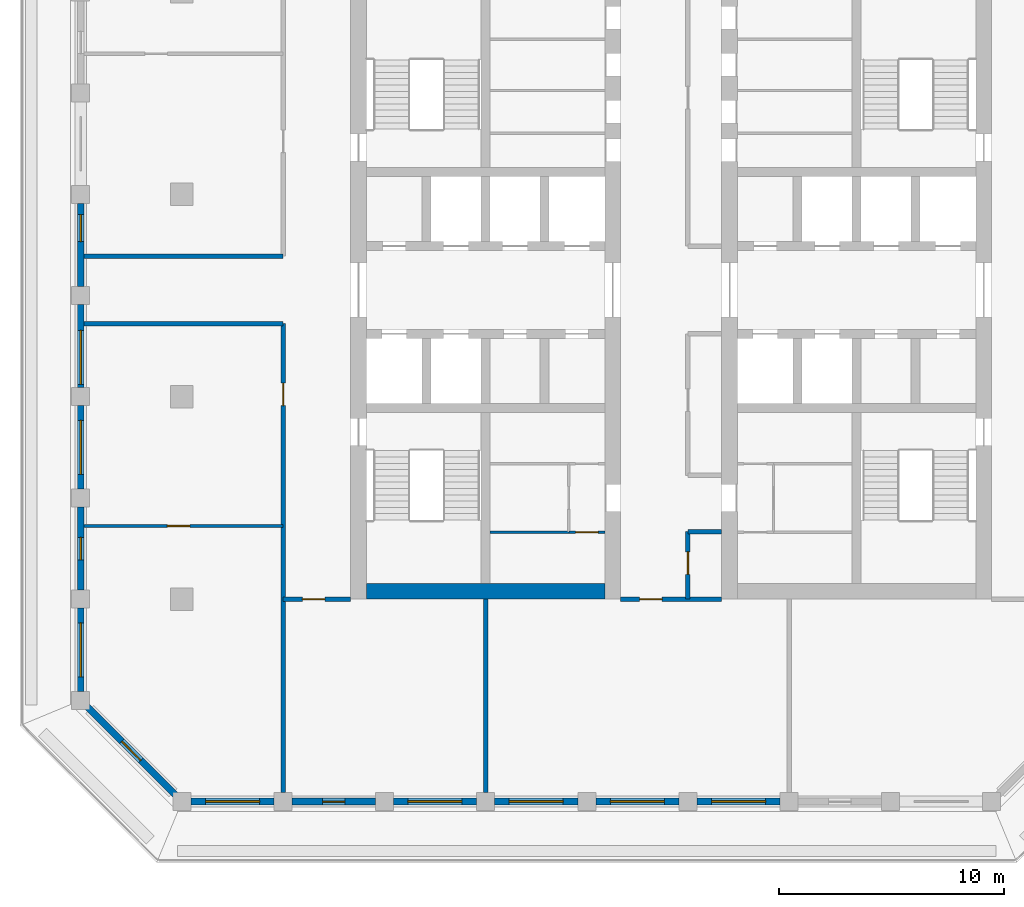
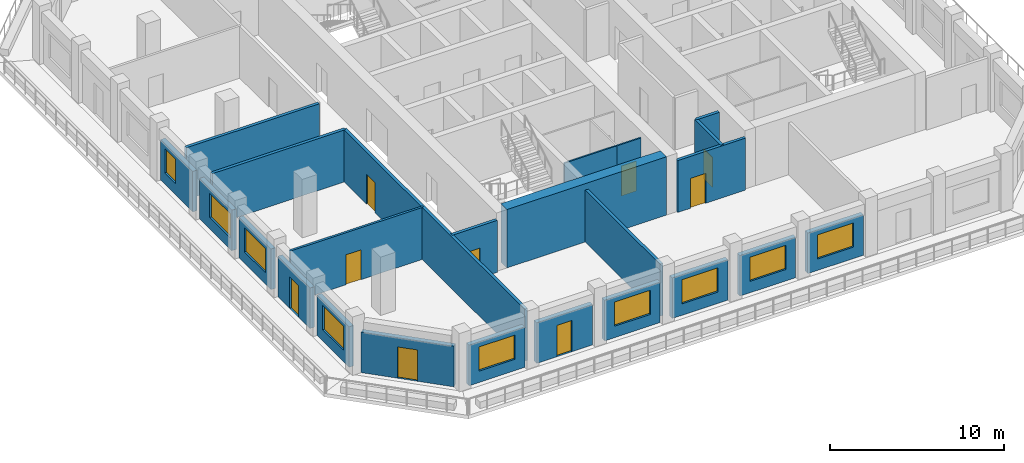
# One storey, part 2 of 14: 24 walls, 9 doors, 9 windows, 18 openings.
"""IFC4 building model written with IfcOpenShell, lengths in metres."""

from ifc_helpers import new_model, si_unit, direction, frame, frame_2d, origin, place, context, subcontext, project, spatial, rectangle, extrude, material, layer, layer_set, type_object, element, fill, save


model = new_model("IFC4")

# Units and contexts
model_context = context("Model", 3, precision=1e-05, world=origin(), true_north=direction((0.0, 1.0)))
body_context = subcontext(model_context, "Body", "Model", "MODEL_VIEW")
ifc_project = project(units=[si_unit("LENGTHUNIT", "METRE"), si_unit("AREAUNIT", "SQUARE_METRE"), si_unit("VOLUMEUNIT", "CUBIC_METRE"), si_unit("PLANEANGLEUNIT", "RADIAN"), si_unit("MASSUNIT", "GRAM", prefix="KILO")], contexts=[model_context])

# Site, building, storey
site_placement = place(None, origin())
site = spatial("IfcSite", under=ifc_project, at=site_placement, CompositionType="ELEMENT")
building_placement = place(site_placement, origin())
building = spatial("IfcBuilding", under=site, at=building_placement, Name="Corbel Stack Research Tower", CompositionType="ELEMENT")
storey_placement = place(building_placement, frame((0.0, 0.0, 278.60009765625)))
storey = spatial("IfcBuildingStorey", under=building, at=storey_placement, Name="L63", CompositionType="ELEMENT", Elevation=278.60009765625)

# Wall
ifc_material_1 = material(Name="Concrete C60/75", Category="concrete")
ifc_layer_1 = layer(ifc_material_1, 0.699951171875)
ifc_layer_set_1 = layer_set([ifc_layer_1], Name="Concrete C60/75")
wall_type_1 = type_object("IfcWallType", Name="CW-700-60", PredefinedType="SHEAR", material=ifc_layer_set_1)
wall_1_placement = place(storey_placement, frame((-9.800048828125, -8.64990234375, 0.0), z_axis=(0.0, 0.0, 1.0), x_axis=(1.0, 0.0, 0.0)))
element("IfcWall", 1, at=wall_1_placement, inside=storey, type_object=wall_type_1, Name="West core wall, south end L63", PredefinedType="SHEAR", context=body_context, shape_type="SweptSolid", body=[
    extrude(rectangle(XDim=10.60009765625, YDim=0.699951171875, at=frame_2d((5.300048828125, 0.0))), origin(), (0.0, 0.0, 1.0), 4.099853515625),
])

# Wall, opening, door
ifc_material_2 = material(Name="Gypsum board")
ifc_layer_2 = layer(ifc_material_2, 0.10009765625)
ifc_layer_set_2 = layer_set([ifc_layer_2], Name="Gypsum board")
wall_type_2 = type_object("IfcWallType", Name="Core partition 100", PredefinedType="PARTITIONING", material=ifc_layer_set_2)
wall_2_placement = place(storey_placement, frame((-0.800048828125, -6.02001953125, 0.0), z_axis=(0.0, 0.0, 1.0), x_axis=(1.0, 0.0, 0.0)))
wall_2 = element("IfcWall", 2, at=wall_2_placement, inside=storey, type_object=wall_type_2, Name="Core partition W", PredefinedType="PARTITIONING", context=body_context, shape_type="SweptSolid", body=[
    extrude(rectangle(XDim=1.60009765625, YDim=0.10009765625, at=frame_2d((0.800048828125, 0.0))), origin(), (0.0, 0.0, 1.0), 3.64990234375),
])
opening_1_placement = place(wall_2_placement, frame((0.300048828125, 0.0, 0.0)))
opening_1 = element("IfcOpeningElement", 3, at=opening_1_placement, cuts=wall_2, Name="Opening CR-W36-W2-1000", PredefinedType="OPENING", context=body_context, shape_type="SweptSolid", body=[
    extrude(rectangle(XDim=1.0, YDim=2.10009765625, at=frame_2d((0.5, 1.050048828125))), frame((0.0, 0.06005859375, 0.0), z_axis=(0.0, -1.0, 0.0), x_axis=(1.0, 0.0, 0.0)), (0.0, 0.0, 1.0), 0.1201171875),
])
ifc_material_3 = material(Name="Painted timber door", Category="wood")
door_type_1 = type_object("IfcDoorType", Name="WC door 1000 x 2100 right hand", OperationType="SINGLE_SWING_RIGHT", PredefinedType="DOOR", material=ifc_material_3)
door_1_placement = place(opening_1_placement, origin())
door_1 = element("IfcDoor", 4, at=door_1_placement, inside=storey, type_object=door_type_1, Name="Men's WC door W core", OperationType="SINGLE_SWING_RIGHT", OverallHeight=2.10009765625, OverallWidth=1.0, PredefinedType="DOOR", context=body_context, shape_type="SweptSolid", body=[
    extrude(rectangle(XDim=1.0, YDim=2.10009765625, at=frame_2d((0.5, 1.050048828125))), frame((0.0, 0.02490234375, 0.0), z_axis=(0.0, -1.0, 0.0), x_axis=(1.0, 0.0, 0.0)), (0.0, 0.0, 1.0), 0.050048828125),
])
fill(opening_1, door_1)

# Wall
wall_3_placement = place(storey_placement, frame((-4.300048828125, -6.02001953125, 0.0), z_axis=(0.0, 0.0, 1.0), x_axis=(1.0, 0.0, 0.0)))
element("IfcWall", 5, at=wall_3_placement, inside=storey, type_object=wall_type_2, Name="Core partition W", PredefinedType="PARTITIONING", context=body_context, shape_type="SweptSolid", body=[
    extrude(rectangle(XDim=3.5, YDim=0.10009765625, at=frame_2d((1.75, 0.0))), origin(), (0.0, 0.0, 1.0), 3.64990234375),
])

# Wall, opening, door
ifc_material_4 = material(Name="Fire-rated gypsum board partition on steel studs", Category="steel")
ifc_layer_3 = layer(ifc_material_4, 0.199951171875)
ifc_layer_set_3 = layer_set([ifc_layer_3], Name="Fire-rated gypsum board partition on steel studs")
wall_type_3 = type_object("IfcWallType", Name="Fire-rated partition 200 EI 60", PredefinedType="PARTITIONING", material=ifc_layer_set_3)
wall_4_placement = place(storey_placement, frame((-13.5, -17.60009765625, 0.0), z_axis=(0.0, 0.0, 1.0), x_axis=(0.0, 1.0, 0.0)))
wall_4 = element("IfcWall", 6, at=wall_4_placement, inside=storey, type_object=wall_type_3, Name="Partition L63-001", PredefinedType="PARTITIONING", context=body_context, shape_type="SweptSolid", body=[
    extrude(rectangle(XDim=20.85009765625, YDim=0.199951171875, at=frame_2d((10.425048828125, 0.0))), origin(), (0.0, 0.0, 1.0), 3.64990234375),
])
opening_2_placement = place(wall_4_placement, frame((17.199951171875, 0.0, 0.0)))
opening_2 = element("IfcOpeningElement", 7, at=opening_2_placement, cuts=wall_4, Name="Opening B8V1-001", PredefinedType="OPENING", context=body_context, shape_type="SweptSolid", body=[
    extrude(rectangle(XDim=1.0, YDim=2.10009765625, at=frame_2d((0.5, 1.050048828125))), frame((0.0, 0.10986328125, 0.0), z_axis=(0.0, -1.0, 0.0), x_axis=(1.0, 0.0, 0.0)), (0.0, 0.0, 1.0), 0.219970703125),
])
ifc_material_5 = material(Name="Painted steel fire door", Category="steel")
door_type_2 = type_object("IfcDoorType", Name="Fire door FD30S 1000 x 2100", OperationType="NOTDEFINED", PredefinedType="DOOR", material=ifc_material_5)
door_2_placement = place(opening_2_placement, origin())
door_2 = element("IfcDoor", 8, at=door_2_placement, inside=storey, type_object=door_type_2, Name="Door B8V1-001", OperationType="SINGLE_SWING_RIGHT", OverallHeight=2.10009765625, OverallWidth=1.0, PredefinedType="DOOR", context=body_context, shape_type="SweptSolid", body=[
    extrude(rectangle(XDim=1.0, YDim=2.10009765625, at=frame_2d((0.5, 1.050048828125))), frame((0.0, 0.02490234375, 0.0), z_axis=(0.0, -1.0, 0.0), x_axis=(1.0, 0.0, 0.0)), (0.0, 0.0, 1.0), 0.050048828125),
])
fill(opening_2, door_2)

# Wall
wall_5_placement = place(storey_placement, frame((-4.5, -17.60009765625, 0.0), z_axis=(0.0, 0.0, 1.0), x_axis=(0.0, 1.0, 0.0)))
element("IfcWall", 9, at=wall_5_placement, inside=storey, type_object=wall_type_3, Name="Partition L63-003", PredefinedType="PARTITIONING", context=body_context, shape_type="SweptSolid", body=[
    extrude(rectangle(XDim=8.60009765625, YDim=0.199951171875, at=frame_2d((4.300048828125, 0.0))), origin(), (0.0, 0.0, 1.0), 3.64990234375),
])

# Wall, opening, door
wall_6_placement = place(storey_placement, frame((4.5, -6.0, 0.0), z_axis=(0.0, 0.0, 1.0), x_axis=(0.0, -1.0, 0.0)))
wall_6 = element("IfcWall", 10, at=wall_6_placement, inside=storey, type_object=wall_type_3, Name="Partition L63-005", PredefinedType="PARTITIONING", context=body_context, shape_type="SweptSolid", body=[
    extrude(rectangle(XDim=3.0, YDim=0.199951171875, at=frame_2d((1.5, 0.0))), origin(), (0.0, 0.0, 1.0), 3.64990234375),
])
opening_3_placement = place(wall_6_placement, frame((0.89990234375, 0.0, 0.0)))
opening_3 = element("IfcOpeningElement", 11, at=opening_3_placement, cuts=wall_6, Name="Opening B8V1-007", PredefinedType="OPENING", context=body_context, shape_type="SweptSolid", body=[
    extrude(rectangle(XDim=1.0, YDim=2.10009765625, at=frame_2d((0.5, 1.050048828125))), frame((0.0, 0.10986328125, 0.0), z_axis=(0.0, -1.0, 0.0), x_axis=(1.0, 0.0, 0.0)), (0.0, 0.0, 1.0), 0.219970703125),
])
door_3_placement = place(opening_3_placement, origin())
door_3 = element("IfcDoor", 12, at=door_3_placement, inside=storey, type_object=door_type_2, Name="Door B8V1-007", OperationType="SINGLE_SWING_LEFT", OverallHeight=2.10009765625, OverallWidth=1.0, PredefinedType="DOOR", context=body_context, shape_type="SweptSolid", body=[
    extrude(rectangle(XDim=1.0, YDim=2.10009765625, at=frame_2d((0.5, 1.050048828125))), frame((0.0, 0.02490234375, 0.0), z_axis=(0.0, -1.0, 0.0), x_axis=(1.0, 0.0, 0.0)), (0.0, 0.0, 1.0), 0.050048828125),
])
fill(opening_3, door_3)

wall_7_placement = place(storey_placement, frame((-10.5, -9.0, 0.0), z_axis=(0.0, 0.0, 1.0), x_axis=(-1.0, 0.0, 0.0)))
wall_7 = element("IfcWall", 13, at=wall_7_placement, inside=storey, type_object=wall_type_3, Name="Partition L63-011", PredefinedType="PARTITIONING", context=body_context, shape_type="SweptSolid", body=[
    extrude(rectangle(XDim=3.0, YDim=0.199951171875, at=frame_2d((1.5, 0.0))), origin(), (0.0, 0.0, 1.0), 3.64990234375),
])
opening_4_placement = place(wall_7_placement, frame((1.14990234375, 0.0, 0.0)))
opening_4 = element("IfcOpeningElement", 14, at=opening_4_placement, cuts=wall_7, Name="Opening B8V1-003", PredefinedType="OPENING", context=body_context, shape_type="SweptSolid", body=[
    extrude(rectangle(XDim=1.0, YDim=2.10009765625, at=frame_2d((0.5, 1.050048828125))), frame((0.0, 0.10986328125, 0.0), z_axis=(0.0, -1.0, 0.0), x_axis=(1.0, 0.0, 0.0)), (0.0, 0.0, 1.0), 0.219970703125),
])
door_4_placement = place(opening_4_placement, origin())
door_4 = element("IfcDoor", 15, at=door_4_placement, inside=storey, type_object=door_type_2, Name="Door B8V1-003", OperationType="SINGLE_SWING_RIGHT", OverallHeight=2.10009765625, OverallWidth=1.0, PredefinedType="DOOR", context=body_context, shape_type="SweptSolid", body=[
    extrude(rectangle(XDim=1.0, YDim=2.10009765625, at=frame_2d((0.5, 1.050048828125))), frame((0.0, 0.02490234375, 0.0), z_axis=(0.0, -1.0, 0.0), x_axis=(1.0, 0.0, 0.0)), (0.0, 0.0, 1.0), 0.050048828125),
])
fill(opening_4, door_4)

wall_8_placement = place(storey_placement, frame((6.0, -9.0, 0.0), z_axis=(0.0, 0.0, 1.0), x_axis=(-1.0, 0.0, 0.0)))
wall_8 = element("IfcWall", 16, at=wall_8_placement, inside=storey, type_object=wall_type_3, Name="Partition L63-012", PredefinedType="PARTITIONING", context=body_context, shape_type="SweptSolid", body=[
    extrude(rectangle(XDim=4.5, YDim=0.199951171875, at=frame_2d((2.25, 0.0))), origin(), (0.0, 0.0, 1.0), 3.64990234375),
])
opening_5_placement = place(wall_8_placement, frame((2.64990234375, 0.0, 0.0)))
opening_5 = element("IfcOpeningElement", 17, at=opening_5_placement, cuts=wall_8, Name="Opening B8V1-004", PredefinedType="OPENING", context=body_context, shape_type="SweptSolid", body=[
    extrude(rectangle(XDim=1.0, YDim=2.10009765625, at=frame_2d((0.5, 1.050048828125))), frame((0.0, 0.10986328125, 0.0), z_axis=(0.0, -1.0, 0.0), x_axis=(1.0, 0.0, 0.0)), (0.0, 0.0, 1.0), 0.219970703125),
])
door_5_placement = place(opening_5_placement, origin())
door_5 = element("IfcDoor", 18, at=door_5_placement, inside=storey, type_object=door_type_2, Name="Door B8V1-004", OperationType="SINGLE_SWING_RIGHT", OverallHeight=2.10009765625, OverallWidth=1.0, PredefinedType="DOOR", context=body_context, shape_type="SweptSolid", body=[
    extrude(rectangle(XDim=1.0, YDim=2.10009765625, at=frame_2d((0.5, 1.050048828125))), frame((0.0, 0.02490234375, 0.0), z_axis=(0.0, -1.0, 0.0), x_axis=(1.0, 0.0, 0.0)), (0.0, 0.0, 1.0), 0.050048828125),
])
fill(opening_5, door_5)

# Walls
wall_9_placement = place(storey_placement, frame((4.5, -6.0, 0.0), z_axis=(0.0, 0.0, 1.0), x_axis=(1.0, 0.0, 0.0)))
element("IfcWall", 19, at=wall_9_placement, inside=storey, type_object=wall_type_3, Name="Partition L63-014", PredefinedType="PARTITIONING", context=body_context, shape_type="SweptSolid", body=[
    extrude(rectangle(XDim=1.5, YDim=0.199951171875, at=frame_2d((0.75, 0.0))), origin(), (0.0, 0.0, 1.0), 3.64990234375),
])
for number, where, z_axis, x_axis, name in (
    (20, (-22.35009765625, 3.25, 0.0), (0.0, 0.0, 1.0), (1.0, 0.0, 0.0), "Partition L63-018"),
    (21, (-22.35009765625, 6.25, 0.0), (0.0, 0.0, 1.0), (1.0, 0.0, 0.0), "Partition L63-019"),
):
    element("IfcWall", number, at=place(storey_placement, frame(where, z_axis=z_axis, x_axis=x_axis)), inside=storey, type_object=wall_type_3, Name=name, PredefinedType="PARTITIONING", context=body_context, shape_type="SweptSolid", body=[
        extrude(rectangle(XDim=8.85009765625, YDim=0.199951171875, at=frame_2d((4.425048828125, 0.0))), origin(), (0.0, 0.0, 1.0), 3.64990234375),
    ])

# Wall, opening, door
ifc_material_6 = material(Name="Gypsum board partition on steel studs", Category="steel")
ifc_layer_4 = layer(ifc_material_6, 0.14990234375)
ifc_layer_set_4 = layer_set([ifc_layer_4], Name="Gypsum board partition on steel studs")
wall_type_4 = type_object("IfcWallType", Name="Partition 150", PredefinedType="PARTITIONING", material=ifc_layer_set_4)
wall_10_placement = place(storey_placement, frame((-13.5, -5.75, 0.0), z_axis=(0.0, 0.0, 1.0), x_axis=(-1.0, 0.0, 0.0)))
wall_10 = element("IfcWall", 22, at=wall_10_placement, inside=storey, type_object=wall_type_4, Name="Partition L63-015", PredefinedType="PARTITIONING", context=body_context, shape_type="SweptSolid", body=[
    extrude(rectangle(XDim=8.85009765625, YDim=0.14990234375, at=frame_2d((4.425048828125, 0.0))), origin(), (0.0, 0.0, 1.0), 3.64990234375),
])
opening_6_placement = place(wall_10_placement, frame((4.14990234375, 0.0, 0.0)))
opening_6 = element("IfcOpeningElement", 23, at=opening_6_placement, cuts=wall_10, Name="Opening B8V1-006", PredefinedType="OPENING", context=body_context, shape_type="SweptSolid", body=[
    extrude(rectangle(XDim=1.0, YDim=2.10009765625, at=frame_2d((0.5, 1.050048828125))), frame((0.0, 0.0849609375, 0.0), z_axis=(0.0, -1.0, 0.0), x_axis=(1.0, 0.0, 0.0)), (0.0, 0.0, 1.0), 0.169921875),
])
ifc_material_7 = material(Name="Painted timber door", Category="wood")
door_type_3 = type_object("IfcDoorType", Name="Single door 1000 x 2100", OperationType="NOTDEFINED", PredefinedType="DOOR", material=ifc_material_7)
door_6_placement = place(opening_6_placement, origin())
door_6 = element("IfcDoor", 24, at=door_6_placement, inside=storey, type_object=door_type_3, Name="Door B8V1-006", OperationType="SINGLE_SWING_RIGHT", OverallHeight=2.10009765625, OverallWidth=1.0, PredefinedType="DOOR", context=body_context, shape_type="SweptSolid", body=[
    extrude(rectangle(XDim=1.0, YDim=2.10009765625, at=frame_2d((0.5, 1.050048828125))), frame((0.0, 0.02490234375, 0.0), z_axis=(0.0, -1.0, 0.0), x_axis=(1.0, 0.0, 0.0)), (0.0, 0.0, 1.0), 0.050048828125),
])
fill(opening_6, door_6)

# Wall, opening, window
ifc_material_8 = material(Name="Concrete C45/55", Category="concrete")
ifc_layer_5 = layer(ifc_material_8, 0.300048828125)
ifc_layer_set_5 = layer_set([ifc_layer_5], Name="Concrete C45/55")
wall_type_5 = type_object("IfcWallType", Name="Terracotta-faced concrete wall 300", PredefinedType="SOLIDWALL", material=ifc_layer_set_5)
wall_11_placement = place(storey_placement, frame((-13.89990234375, -18.0, 0.0), z_axis=(0.0, 0.0, 1.0), x_axis=(-1.0, 0.0, 0.0)))
wall_11 = element("IfcWall", 25, at=wall_11_placement, inside=storey, type_object=wall_type_5, Name="Facade wall L63 S01", PredefinedType="SOLIDWALL", context=body_context, shape_type="SweptSolid", body=[
    extrude(rectangle(XDim=3.7001953125, YDim=0.300048828125, at=frame_2d((1.85009765625, 0.0))), origin(), (0.0, 0.0, 1.0), 2.849853515625),
])
opening_7_placement = place(wall_11_placement, frame((0.64990234375, 0.0, 0.800048828125)))
opening_7 = element("IfcOpeningElement", 26, at=opening_7_placement, cuts=wall_11, Name="Opening W1", PredefinedType="OPENING", context=body_context, shape_type="SweptSolid", body=[
    extrude(rectangle(XDim=2.39990234375, YDim=1.699951171875, at=frame_2d((1.199951171875, 0.85009765625))), frame((0.0, 0.159912109375, 0.0), z_axis=(0.0, -1.0, 0.0), x_axis=(1.0, 0.0, 0.0)), (0.0, 0.0, 1.0), 0.320068359375),
])
ifc_material_9 = material(Name="Aluminium frame, clear double glazing", Category="aluminium")
window_type_1 = type_object("IfcWindowType", Name="Window W1 2400 x 1700", PartitioningType="SINGLE_PANEL", PredefinedType="WINDOW", material=ifc_material_9)
window_1_placement = place(opening_7_placement, origin())
window_1 = element("IfcWindow", 27, at=window_1_placement, inside=storey, type_object=window_type_1, Name="Window W1 L63 S01", OverallHeight=1.699951171875, OverallWidth=2.39990234375, PartitioningType="SINGLE_PANEL", PredefinedType="WINDOW", context=body_context, shape_type="SweptSolid", body=[
    extrude(rectangle(XDim=2.39990234375, YDim=1.699951171875, at=frame_2d((1.199951171875, 0.85009765625))), frame((0.0, 0.030029296875, 0.0), z_axis=(0.0, -1.0, 0.0), x_axis=(1.0, 0.0, 0.0)), (0.0, 0.0, 1.0), 0.06005859375),
])
fill(opening_7, window_1)

# Wall, opening, door
wall_12_placement = place(storey_placement, frame((-9.39990234375, -18.0, 0.0), z_axis=(0.0, 0.0, 1.0), x_axis=(-1.0, 0.0, 0.0)))
wall_12 = element("IfcWall", 28, at=wall_12_placement, inside=storey, type_object=wall_type_5, Name="Facade wall L63 S02", PredefinedType="SOLIDWALL", context=body_context, shape_type="SweptSolid", body=[
    extrude(rectangle(XDim=3.7001953125, YDim=0.300048828125, at=frame_2d((1.85009765625, 0.0))), origin(), (0.0, 0.0, 1.0), 2.849853515625),
])
opening_8_placement = place(wall_12_placement, frame((1.35009765625, 0.0, 0.0)))
opening_8 = element("IfcOpeningElement", 29, at=opening_8_placement, cuts=wall_12, Name="Opening L63-B01", PredefinedType="OPENING", context=body_context, shape_type="SweptSolid", body=[
    extrude(rectangle(XDim=1.0, YDim=2.199951171875, at=frame_2d((0.5, 1.10009765625))), frame((0.0, 0.159912109375, 0.0), z_axis=(0.0, -1.0, 0.0), x_axis=(1.0, 0.0, 0.0)), (0.0, 0.0, 1.0), 0.320068359375),
])
ifc_material_10 = material(Name="Aluminium frame, clear double glazing", Category="aluminium")
door_type_4 = type_object("IfcDoorType", Name="Balcony door BD1 1000 x 2200", OperationType="NOTDEFINED", PredefinedType="DOOR", material=ifc_material_10)
door_7_placement = place(opening_8_placement, origin())
door_7 = element("IfcDoor", 30, at=door_7_placement, inside=storey, type_object=door_type_4, Name="Balcony door L63-B01", OperationType="SINGLE_SWING_LEFT", OverallHeight=2.199951171875, OverallWidth=1.0, PredefinedType="DOOR", context=body_context, shape_type="SweptSolid", body=[
    extrude(rectangle(XDim=1.0, YDim=2.199951171875, at=frame_2d((0.5, 1.10009765625))), frame((0.0, 0.02490234375, 0.0), z_axis=(0.0, -1.0, 0.0), x_axis=(1.0, 0.0, 0.0)), (0.0, 0.0, 1.0), 0.050048828125),
])
fill(opening_8, door_7)

# Wall, opening, window
wall_13_placement = place(storey_placement, frame((-4.89990234375, -18.0, 0.0), z_axis=(0.0, 0.0, 1.0), x_axis=(-1.0, 0.0, 0.0)))
wall_13 = element("IfcWall", 31, at=wall_13_placement, inside=storey, type_object=wall_type_5, Name="Facade wall L63 S03", PredefinedType="SOLIDWALL", context=body_context, shape_type="SweptSolid", body=[
    extrude(rectangle(XDim=3.7001953125, YDim=0.300048828125, at=frame_2d((1.85009765625, 0.0))), origin(), (0.0, 0.0, 1.0), 2.849853515625),
])
opening_9_placement = place(wall_13_placement, frame((0.64990234375, 0.0, 0.800048828125)))
opening_9 = element("IfcOpeningElement", 32, at=opening_9_placement, cuts=wall_13, Name="Opening W1", PredefinedType="OPENING", context=body_context, shape_type="SweptSolid", body=[
    extrude(rectangle(XDim=2.39990234375, YDim=1.699951171875, at=frame_2d((1.199951171875, 0.85009765625))), frame((0.0, 0.159912109375, 0.0), z_axis=(0.0, -1.0, 0.0), x_axis=(1.0, 0.0, 0.0)), (0.0, 0.0, 1.0), 0.320068359375),
])
window_2_placement = place(opening_9_placement, origin())
window_2 = element("IfcWindow", 33, at=window_2_placement, inside=storey, type_object=window_type_1, Name="Window W1 L63 S03", OverallHeight=1.699951171875, OverallWidth=2.39990234375, PartitioningType="SINGLE_PANEL", PredefinedType="WINDOW", context=body_context, shape_type="SweptSolid", body=[
    extrude(rectangle(XDim=2.39990234375, YDim=1.699951171875, at=frame_2d((1.199951171875, 0.85009765625))), frame((0.0, 0.030029296875, 0.0), z_axis=(0.0, -1.0, 0.0), x_axis=(1.0, 0.0, 0.0)), (0.0, 0.0, 1.0), 0.06005859375),
])
fill(opening_9, window_2)

wall_14_placement = place(storey_placement, frame((-0.39990234375, -18.0, 0.0), z_axis=(0.0, 0.0, 1.0), x_axis=(-1.0, 0.0, 0.0)))
wall_14 = element("IfcWall", 34, at=wall_14_placement, inside=storey, type_object=wall_type_5, Name="Facade wall L63 S04", PredefinedType="SOLIDWALL", context=body_context, shape_type="SweptSolid", body=[
    extrude(rectangle(XDim=3.7001953125, YDim=0.300048828125, at=frame_2d((1.85009765625, 0.0))), origin(), (0.0, 0.0, 1.0), 2.849853515625),
])
opening_10_placement = place(wall_14_placement, frame((0.64990234375, 0.0, 0.800048828125)))
opening_10 = element("IfcOpeningElement", 35, at=opening_10_placement, cuts=wall_14, Name="Opening W1", PredefinedType="OPENING", context=body_context, shape_type="SweptSolid", body=[
    extrude(rectangle(XDim=2.39990234375, YDim=1.699951171875, at=frame_2d((1.199951171875, 0.85009765625))), frame((0.0, 0.159912109375, 0.0), z_axis=(0.0, -1.0, 0.0), x_axis=(1.0, 0.0, 0.0)), (0.0, 0.0, 1.0), 0.320068359375),
])
window_3_placement = place(opening_10_placement, origin())
window_3 = element("IfcWindow", 36, at=window_3_placement, inside=storey, type_object=window_type_1, Name="Window W1 L63 S04", OverallHeight=1.699951171875, OverallWidth=2.39990234375, PartitioningType="SINGLE_PANEL", PredefinedType="WINDOW", context=body_context, shape_type="SweptSolid", body=[
    extrude(rectangle(XDim=2.39990234375, YDim=1.699951171875, at=frame_2d((1.199951171875, 0.85009765625))), frame((0.0, 0.030029296875, 0.0), z_axis=(0.0, -1.0, 0.0), x_axis=(1.0, 0.0, 0.0)), (0.0, 0.0, 1.0), 0.06005859375),
])
fill(opening_10, window_3)

wall_15_placement = place(storey_placement, frame((4.10009765625, -18.0, 0.0), z_axis=(0.0, 0.0, 1.0), x_axis=(-1.0, 0.0, 0.0)))
wall_15 = element("IfcWall", 37, at=wall_15_placement, inside=storey, type_object=wall_type_5, Name="Facade wall L63 S05", PredefinedType="SOLIDWALL", context=body_context, shape_type="SweptSolid", body=[
    extrude(rectangle(XDim=3.7001953125, YDim=0.300048828125, at=frame_2d((1.85009765625, 0.0))), origin(), (0.0, 0.0, 1.0), 2.849853515625),
])
opening_11_placement = place(wall_15_placement, frame((0.64990234375, 0.0, 0.800048828125)))
opening_11 = element("IfcOpeningElement", 38, at=opening_11_placement, cuts=wall_15, Name="Opening W1", PredefinedType="OPENING", context=body_context, shape_type="SweptSolid", body=[
    extrude(rectangle(XDim=2.39990234375, YDim=1.699951171875, at=frame_2d((1.199951171875, 0.85009765625))), frame((0.0, 0.159912109375, 0.0), z_axis=(0.0, -1.0, 0.0), x_axis=(1.0, 0.0, 0.0)), (0.0, 0.0, 1.0), 0.320068359375),
])
window_4_placement = place(opening_11_placement, origin())
window_4 = element("IfcWindow", 39, at=window_4_placement, inside=storey, type_object=window_type_1, Name="Window W1 L63 S05", OverallHeight=1.699951171875, OverallWidth=2.39990234375, PartitioningType="SINGLE_PANEL", PredefinedType="WINDOW", context=body_context, shape_type="SweptSolid", body=[
    extrude(rectangle(XDim=2.39990234375, YDim=1.699951171875, at=frame_2d((1.199951171875, 0.85009765625))), frame((0.0, 0.030029296875, 0.0), z_axis=(0.0, -1.0, 0.0), x_axis=(1.0, 0.0, 0.0)), (0.0, 0.0, 1.0), 0.06005859375),
])
fill(opening_11, window_4)

wall_16_placement = place(storey_placement, frame((8.60009765625, -18.0, 0.0), z_axis=(0.0, 0.0, 1.0), x_axis=(-1.0, 0.0, 0.0)))
wall_16 = element("IfcWall", 40, at=wall_16_placement, inside=storey, type_object=wall_type_5, Name="Facade wall L63 S06", PredefinedType="SOLIDWALL", context=body_context, shape_type="SweptSolid", body=[
    extrude(rectangle(XDim=3.7001953125, YDim=0.300048828125, at=frame_2d((1.85009765625, 0.0))), origin(), (0.0, 0.0, 1.0), 2.849853515625),
])
opening_12_placement = place(wall_16_placement, frame((0.64990234375, 0.0, 0.800048828125)))
opening_12 = element("IfcOpeningElement", 41, at=opening_12_placement, cuts=wall_16, Name="Opening W1", PredefinedType="OPENING", context=body_context, shape_type="SweptSolid", body=[
    extrude(rectangle(XDim=2.39990234375, YDim=1.699951171875, at=frame_2d((1.199951171875, 0.85009765625))), frame((0.0, 0.159912109375, 0.0), z_axis=(0.0, -1.0, 0.0), x_axis=(1.0, 0.0, 0.0)), (0.0, 0.0, 1.0), 0.320068359375),
])
window_5_placement = place(opening_12_placement, origin())
window_5 = element("IfcWindow", 42, at=window_5_placement, inside=storey, type_object=window_type_1, Name="Window W1 L63 S06", OverallHeight=1.699951171875, OverallWidth=2.39990234375, PartitioningType="SINGLE_PANEL", PredefinedType="WINDOW", context=body_context, shape_type="SweptSolid", body=[
    extrude(rectangle(XDim=2.39990234375, YDim=1.699951171875, at=frame_2d((1.199951171875, 0.85009765625))), frame((0.0, 0.030029296875, 0.0), z_axis=(0.0, -1.0, 0.0), x_axis=(1.0, 0.0, 0.0)), (0.0, 0.0, 1.0), 0.06005859375),
])
fill(opening_12, window_5)

wall_17_placement = place(storey_placement, frame((-22.5, 4.89990234375, 0.0), z_axis=(0.0, 0.0, 1.0), x_axis=(0.0, 1.0, 0.0)))
wall_17 = element("IfcWall", 43, at=wall_17_placement, inside=storey, type_object=wall_type_5, Name="Facade wall L63 W04", PredefinedType="SOLIDWALL", context=body_context, shape_type="SweptSolid", body=[
    extrude(rectangle(XDim=3.7001953125, YDim=0.300048828125, at=frame_2d((1.85009765625, 0.0))), origin(), (0.0, 0.0, 1.0), 2.849853515625),
])
opening_13_placement = place(wall_17_placement, frame((2.0, 0.0, 0.800048828125)))
opening_13 = element("IfcOpeningElement", 44, at=opening_13_placement, cuts=wall_17, Name="Opening W2", PredefinedType="OPENING", context=body_context, shape_type="SweptSolid", body=[
    extrude(rectangle(XDim=1.199951171875, YDim=1.699951171875, at=frame_2d((0.60009765625, 0.85009765625))), frame((0.0, 0.159912109375, 0.0), z_axis=(0.0, -1.0, 0.0), x_axis=(1.0, 0.0, 0.0)), (0.0, 0.0, 1.0), 0.320068359375),
])
ifc_material_11 = material(Name="Aluminium frame, clear double glazing", Category="aluminium")
window_type_2 = type_object("IfcWindowType", Name="Window W2 1200 x 1700", PartitioningType="SINGLE_PANEL", PredefinedType="WINDOW", material=ifc_material_11)
window_6_placement = place(opening_13_placement, origin())
window_6 = element("IfcWindow", 45, at=window_6_placement, inside=storey, type_object=window_type_2, Name="Window W2 L63 W04", OverallHeight=1.699951171875, OverallWidth=1.199951171875, PartitioningType="SINGLE_PANEL", PredefinedType="WINDOW", context=body_context, shape_type="SweptSolid", body=[
    extrude(rectangle(XDim=1.199951171875, YDim=1.699951171875, at=frame_2d((0.60009765625, 0.85009765625))), frame((0.0, 0.030029296875, 0.0), z_axis=(0.0, -1.0, 0.0), x_axis=(1.0, 0.0, 0.0)), (0.0, 0.0, 1.0), 0.06005859375),
])
fill(opening_13, window_6)

wall_18_placement = place(storey_placement, frame((-22.5, 0.39990234375, 0.0), z_axis=(0.0, 0.0, 1.0), x_axis=(0.0, 1.0, 0.0)))
wall_18 = element("IfcWall", 46, at=wall_18_placement, inside=storey, type_object=wall_type_5, Name="Facade wall L63 W05", PredefinedType="SOLIDWALL", context=body_context, shape_type="SweptSolid", body=[
    extrude(rectangle(XDim=3.7001953125, YDim=0.300048828125, at=frame_2d((1.85009765625, 0.0))), origin(), (0.0, 0.0, 1.0), 2.849853515625),
])
opening_14_placement = place(wall_18_placement, frame((0.14990234375, 0.0, 0.800048828125)))
opening_14 = element("IfcOpeningElement", 47, at=opening_14_placement, cuts=wall_18, Name="Opening W1", PredefinedType="OPENING", context=body_context, shape_type="SweptSolid", body=[
    extrude(rectangle(XDim=2.39990234375, YDim=1.699951171875, at=frame_2d((1.199951171875, 0.85009765625))), frame((0.0, 0.159912109375, 0.0), z_axis=(0.0, -1.0, 0.0), x_axis=(1.0, 0.0, 0.0)), (0.0, 0.0, 1.0), 0.320068359375),
])
window_7_placement = place(opening_14_placement, origin())
window_7 = element("IfcWindow", 48, at=window_7_placement, inside=storey, type_object=window_type_1, Name="Window W1 L63 W05", OverallHeight=1.699951171875, OverallWidth=2.39990234375, PartitioningType="SINGLE_PANEL", PredefinedType="WINDOW", context=body_context, shape_type="SweptSolid", body=[
    extrude(rectangle(XDim=2.39990234375, YDim=1.699951171875, at=frame_2d((1.199951171875, 0.85009765625))), frame((0.0, 0.030029296875, 0.0), z_axis=(0.0, -1.0, 0.0), x_axis=(1.0, 0.0, 0.0)), (0.0, 0.0, 1.0), 0.06005859375),
])
fill(opening_14, window_7)

wall_19_placement = place(storey_placement, frame((-22.5, -4.10009765625, 0.0), z_axis=(0.0, 0.0, 1.0), x_axis=(0.0, 1.0, 0.0)))
wall_19 = element("IfcWall", 49, at=wall_19_placement, inside=storey, type_object=wall_type_5, Name="Facade wall L63 W06", PredefinedType="SOLIDWALL", context=body_context, shape_type="SweptSolid", body=[
    extrude(rectangle(XDim=3.7001953125, YDim=0.300048828125, at=frame_2d((1.85009765625, 0.0))), origin(), (0.0, 0.0, 1.0), 2.849853515625),
])
opening_15_placement = place(wall_19_placement, frame((0.64990234375, 0.0, 0.800048828125)))
opening_15 = element("IfcOpeningElement", 50, at=opening_15_placement, cuts=wall_19, Name="Opening W1", PredefinedType="OPENING", context=body_context, shape_type="SweptSolid", body=[
    extrude(rectangle(XDim=2.39990234375, YDim=1.699951171875, at=frame_2d((1.199951171875, 0.85009765625))), frame((0.0, 0.159912109375, 0.0), z_axis=(0.0, -1.0, 0.0), x_axis=(1.0, 0.0, 0.0)), (0.0, 0.0, 1.0), 0.320068359375),
])
window_8_placement = place(opening_15_placement, origin())
window_8 = element("IfcWindow", 51, at=window_8_placement, inside=storey, type_object=window_type_1, Name="Window W1 L63 W06", OverallHeight=1.699951171875, OverallWidth=2.39990234375, PartitioningType="SINGLE_PANEL", PredefinedType="WINDOW", context=body_context, shape_type="SweptSolid", body=[
    extrude(rectangle(XDim=2.39990234375, YDim=1.699951171875, at=frame_2d((1.199951171875, 0.85009765625))), frame((0.0, 0.030029296875, 0.0), z_axis=(0.0, -1.0, 0.0), x_axis=(1.0, 0.0, 0.0)), (0.0, 0.0, 1.0), 0.06005859375),
])
fill(opening_15, window_8)

# Wall, opening, door
wall_20_placement = place(storey_placement, frame((-22.5, -8.60009765625, 0.0), z_axis=(0.0, 0.0, 1.0), x_axis=(0.0, 1.0, 0.0)))
wall_20 = element("IfcWall", 52, at=wall_20_placement, inside=storey, type_object=wall_type_5, Name="Facade wall L63 W07", PredefinedType="SOLIDWALL", context=body_context, shape_type="SweptSolid", body=[
    extrude(rectangle(XDim=3.7001953125, YDim=0.300048828125, at=frame_2d((1.85009765625, 0.0))), origin(), (0.0, 0.0, 1.0), 2.849853515625),
])
opening_16_placement = place(wall_20_placement, frame((1.35009765625, 0.0, 0.0)))
opening_16 = element("IfcOpeningElement", 53, at=opening_16_placement, cuts=wall_20, Name="Opening L63-B11", PredefinedType="OPENING", context=body_context, shape_type="SweptSolid", body=[
    extrude(rectangle(XDim=1.0, YDim=2.199951171875, at=frame_2d((0.5, 1.10009765625))), frame((0.0, 0.159912109375, 0.0), z_axis=(0.0, -1.0, 0.0), x_axis=(1.0, 0.0, 0.0)), (0.0, 0.0, 1.0), 0.320068359375),
])
door_8_placement = place(opening_16_placement, origin())
door_8 = element("IfcDoor", 54, at=door_8_placement, inside=storey, type_object=door_type_4, Name="Balcony door L63-B11", OperationType="SINGLE_SWING_RIGHT", OverallHeight=2.199951171875, OverallWidth=1.0, PredefinedType="DOOR", context=body_context, shape_type="SweptSolid", body=[
    extrude(rectangle(XDim=1.0, YDim=2.199951171875, at=frame_2d((0.5, 1.10009765625))), frame((0.0, 0.02490234375, 0.0), z_axis=(0.0, -1.0, 0.0), x_axis=(1.0, 0.0, 0.0)), (0.0, 0.0, 1.0), 0.050048828125),
])
fill(opening_16, door_8)

# Wall, opening, window
wall_21_placement = place(storey_placement, frame((-22.5, -13.10009765625, 0.0), z_axis=(0.0, 0.0, 1.0), x_axis=(0.0, 1.0, 0.0)))
wall_21 = element("IfcWall", 55, at=wall_21_placement, inside=storey, type_object=wall_type_5, Name="Facade wall L63 W08", PredefinedType="SOLIDWALL", context=body_context, shape_type="SweptSolid", body=[
    extrude(rectangle(XDim=3.7001953125, YDim=0.300048828125, at=frame_2d((1.85009765625, 0.0))), origin(), (0.0, 0.0, 1.0), 2.849853515625),
])
opening_17_placement = place(wall_21_placement, frame((0.64990234375, 0.0, 0.800048828125)))
opening_17 = element("IfcOpeningElement", 56, at=opening_17_placement, cuts=wall_21, Name="Opening W1", PredefinedType="OPENING", context=body_context, shape_type="SweptSolid", body=[
    extrude(rectangle(XDim=2.39990234375, YDim=1.699951171875, at=frame_2d((1.199951171875, 0.85009765625))), frame((0.0, 0.159912109375, 0.0), z_axis=(0.0, -1.0, 0.0), x_axis=(1.0, 0.0, 0.0)), (0.0, 0.0, 1.0), 0.320068359375),
])
window_9_placement = place(opening_17_placement, origin())
window_9 = element("IfcWindow", 57, at=window_9_placement, inside=storey, type_object=window_type_1, Name="Window W1 L63 W08", OverallHeight=1.699951171875, OverallWidth=2.39990234375, PartitioningType="SINGLE_PANEL", PredefinedType="WINDOW", context=body_context, shape_type="SweptSolid", body=[
    extrude(rectangle(XDim=2.39990234375, YDim=1.699951171875, at=frame_2d((1.199951171875, 0.85009765625))), frame((0.0, 0.030029296875, 0.0), z_axis=(0.0, -1.0, 0.0), x_axis=(1.0, 0.0, 0.0)), (0.0, 0.0, 1.0), 0.06005859375),
])
fill(opening_17, window_9)

# Wall, opening, door
wall_22_placement = place(storey_placement, frame((-18.2939453125, -17.7060546875, 0.0), z_axis=(0.0, 0.0, 1.0), x_axis=(-0.707106781187, 0.707106781187, 0.0)))
wall_22 = element("IfcWall", 58, at=wall_22_placement, inside=storey, type_object=wall_type_5, Name="Facade wall L63 SW01", PredefinedType="SOLIDWALL", context=body_context, shape_type="SweptSolid", body=[
    extrude(rectangle(XDim=5.532470703125, YDim=0.300048828125, at=frame_2d((2.76611328125, 0.0))), origin(), (0.0, 0.0, 1.0), 2.849853515625),
])
opening_18_placement = place(wall_22_placement, frame((2.166259765625, 0.0, 0.0)))
opening_18 = element("IfcOpeningElement", 59, at=opening_18_placement, cuts=wall_22, Name="Opening L63-B12", PredefinedType="OPENING", context=body_context, shape_type="SweptSolid", body=[
    extrude(rectangle(XDim=1.199951171875, YDim=2.199951171875, at=frame_2d((0.60009765625, 1.10009765625))), frame((0.0, 0.159912109375, 0.0), z_axis=(0.0, -1.0, 0.0), x_axis=(1.0, 0.0, 0.0)), (0.0, 0.0, 1.0), 0.320068359375),
])
ifc_material_12 = material(Name="Aluminium frame, clear double glazing", Category="aluminium")
door_type_5 = type_object("IfcDoorType", Name="Balcony door BD2 1200 x 2200", OperationType="NOTDEFINED", PredefinedType="DOOR", material=ifc_material_12)
door_9_placement = place(opening_18_placement, origin())
door_9 = element("IfcDoor", 60, at=door_9_placement, inside=storey, type_object=door_type_5, Name="Balcony door L63-B12", OperationType="SINGLE_SWING_RIGHT", OverallHeight=2.199951171875, OverallWidth=1.199951171875, PredefinedType="DOOR", context=body_context, shape_type="SweptSolid", body=[
    extrude(rectangle(XDim=1.199951171875, YDim=2.199951171875, at=frame_2d((0.60009765625, 1.10009765625))), frame((0.0, 0.02490234375, 0.0), z_axis=(0.0, -1.0, 0.0), x_axis=(1.0, 0.0, 0.0)), (0.0, 0.0, 1.0), 0.050048828125),
])
fill(opening_18, door_9)

save(model, "model.ifc")
